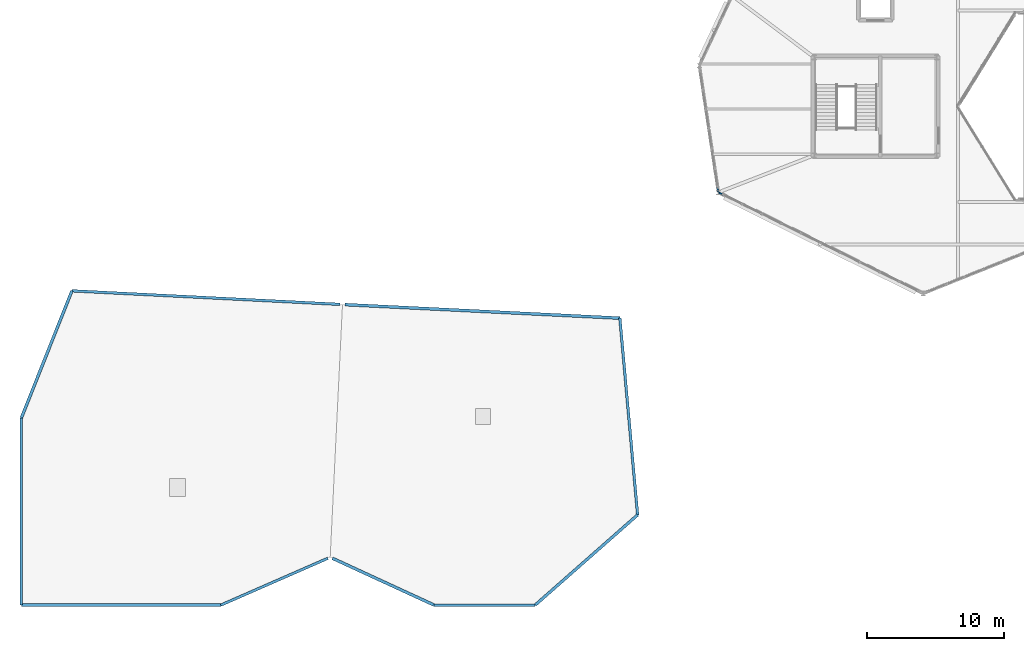
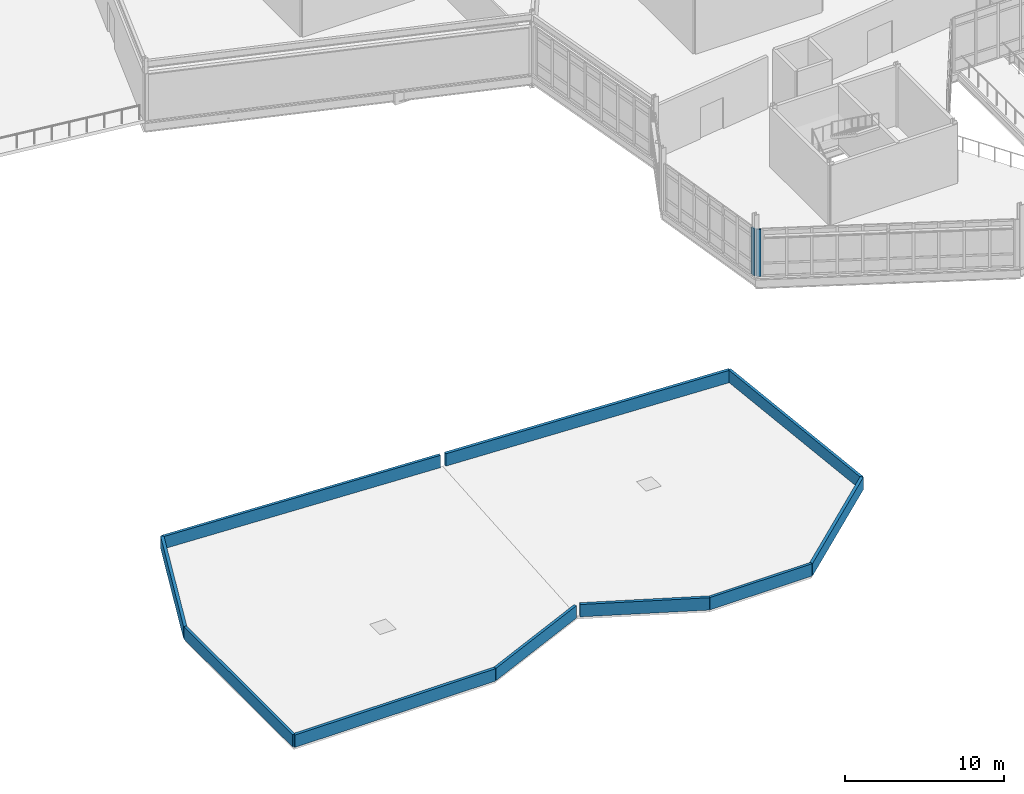
# One storey, part 57 of 76: 12 walls.
"""IFC4 building model written with IfcOpenShell, lengths in metres."""

import ifcopenshell
import ifcopenshell.guid

model = None  # the IFC model being written
_history = None  # IfcOwnerHistory: only IFC2X3 demands one
_inside = {}  # id of a spatial element -> (the spatial element, [elements in it])
_under = {}  # id of a project, library or spatial element -> (it, [spatial elements below it])
_declared = {}  # id of a project -> (the project, [libraries it declares])
_typed = {}  # id of a type object -> (the type object, [elements of that type])
_made_of = {}  # id of a material, layer set ... -> (it, [elements and type objects made of it])


def new_model(schema):
    """Start an empty IFC model of exactly this schema.

    Asked for "IFC4X3", IfcOpenShell would pick the latest addendum, in which some entities
    have other attributes; the version numbers below select the first issue.
    IFC2X3 requires an IfcOwnerHistory on every rooted entity: one is made here for all.
    """
    global model, _history
    if schema == "IFC4X3":
        model = ifcopenshell.file(schema_version=(4, 3, 0, 0))
    else:
        model = ifcopenshell.file(schema=schema)
    _inside.clear()
    _under.clear()
    _declared.clear()
    _typed.clear()
    _made_of.clear()
    _history = None
    if model.schema == "IFC2X3":
        org = make("IfcOrganization", Name="unknown")
        user = make(
            "IfcPersonAndOrganization",
            ThePerson=make("IfcPerson", FamilyName="unknown"),
            TheOrganization=org,
        )
        app = make(
            "IfcApplication",
            ApplicationDeveloper=org,
            Version="unknown",
            ApplicationFullName="unknown",
            ApplicationIdentifier="unknown",
        )
        _history = make(
            "IfcOwnerHistory",
            OwningUser=user,
            OwningApplication=app,
            ChangeAction="ADDED",
            CreationDate=0,
        )
    return model


def make(cls, **values):
    """One entity of the class cls with the attributes given. An attribute that is None is left unset."""
    return model.create_entity(
        cls, **{name: value for name, value in values.items() if value is not None}
    )


def rooted(cls, **values):
    """An entity with a GlobalId (a new one), such as an element, a storey or a relation."""
    return make(cls, GlobalId=ifcopenshell.guid.new(), OwnerHistory=_history, **values)


def si_unit(unit_type, name, prefix=None):
    """IfcSIUnit, for example si_unit("LENGTHUNIT", "METRE", prefix="MILLI")."""
    return make("IfcSIUnit", UnitType=unit_type, Prefix=prefix, Name=name)


def assignment(units):
    """IfcUnitAssignment: the units of a project."""
    return None if units is None else make("IfcUnitAssignment", Units=units)


def point(xyz):
    """IfcCartesianPoint."""
    return None if xyz is None else make("IfcCartesianPoint", Coordinates=xyz)


def direction(xyz):
    """IfcDirection."""
    return None if xyz is None else make("IfcDirection", DirectionRatios=xyz)


def frame(location, z_axis=None, x_axis=None):
    """IfcAxis2Placement3D, a coordinate frame: its origin and axes. An axis left out is left unset."""
    return make(
        "IfcAxis2Placement3D",
        Location=point(location),
        Axis=direction(z_axis),
        RefDirection=direction(x_axis),
    )


def frame_2d(location, x_axis=None):
    """IfcAxis2Placement2D, a coordinate frame in the plane: its origin and x axis."""
    return make(
        "IfcAxis2Placement2D", Location=point(location), RefDirection=direction(x_axis)
    )


def origin():
    """The frame at (0, 0, 0) with its axes left unset."""
    return frame((0.0, 0.0, 0.0))


def origin_with_axes():
    """The frame at (0, 0, 0) with the z axis (0, 0, 1) and the x axis (1, 0, 0) written out."""
    return frame((0.0, 0.0, 0.0), z_axis=(0.0, 0.0, 1.0), x_axis=(1.0, 0.0, 0.0))


def place(relative_to, where):
    """IfcLocalPlacement: puts the frame where relative to a parent placement (None: the world)."""
    return make(
        "IfcLocalPlacement", PlacementRelTo=relative_to, RelativePlacement=where
    )


def context(
    kind, dimensions, precision=None, world=None, true_north=None, identifier=None
):
    """IfcGeometricRepresentationContext, for example the 3D "Model" context."""
    return make(
        "IfcGeometricRepresentationContext",
        ContextIdentifier=identifier,
        ContextType=kind,
        CoordinateSpaceDimension=dimensions,
        Precision=precision,
        WorldCoordinateSystem=world,
        TrueNorth=true_north,
    )


def subcontext(parent, identifier, kind, view, scale=None):
    """IfcGeometricRepresentationSubContext, for example "Body" below "Model"."""
    return make(
        "IfcGeometricRepresentationSubContext",
        ContextIdentifier=identifier,
        ContextType=kind,
        ParentContext=parent,
        TargetScale=scale,
        TargetView=view,
    )


def project(units=None, contexts=None):
    """IfcProject with its units and contexts."""
    return rooted(
        "IfcProject",
        Name="project",
        RepresentationContexts=contexts,
        UnitsInContext=assignment(units),
    )


def spatial(cls, under=None, at=None, **own):
    """A site, building, storey or space (cls), placed at a placement, below another one or the project."""
    s = rooted(cls, ObjectPlacement=at, **own)
    if under is not None:
        _under.setdefault(under.id(), (under, []))[1].append(s)
    return s


def profile(cls, at=None, kind="AREA", **sizes):
    """A parametric profile (cls). Its sizes go by their IFC names, for example OverallWidth=200.0."""
    return make(cls, ProfileType=kind, Position=at, **sizes)


def rectangle(**sizes):
    """IfcRectangleProfileDef."""
    return profile("IfcRectangleProfileDef", **sizes)


def extrude(swept, where, along, depth):
    """IfcExtrudedAreaSolid: the profile swept, set in the frame where, extruded along a direction by depth."""
    return make(
        "IfcExtrudedAreaSolid",
        SweptArea=swept,
        Position=where,
        ExtrudedDirection=direction(along),
        Depth=depth,
    )


def shape(context_of_items, identifier, shape_type, items):
    """IfcShapeRepresentation: the items that make up one representation, for example the "Body"."""
    return make(
        "IfcShapeRepresentation",
        ContextOfItems=context_of_items,
        RepresentationIdentifier=identifier,
        RepresentationType=shape_type,
        Items=items,
    )


def material(Name=None, Category=None):
    """IfcMaterial."""
    return make("IfcMaterial", Name=Name, Category=Category)


def layer(
    of_material, thickness, ventilated=None, Name=None, Category=None, Priority=None
):
    """IfcMaterialLayer: one layer of a wall or slab, of a material (None: an air gap)."""
    return make(
        "IfcMaterialLayer",
        Material=of_material,
        LayerThickness=thickness,
        IsVentilated=ventilated,
        Name=Name,
        Category=Category,
        Priority=Priority,
    )


def layer_set(layers, Name=None):
    """IfcMaterialLayerSet."""
    return make("IfcMaterialLayerSet", MaterialLayers=layers, LayerSetName=Name)


def made_of(thing, what):
    """Note that an element or type object is made of a material, layer set ...; save() writes the relation."""
    if what is not None:
        _made_of.setdefault(what.id(), (what, []))[1].append(thing)
    return thing


def type_object(cls, material=None, **own):
    """A type object (cls), such as IfcWallType, which elements share."""
    return made_of(rooted(cls, **own), material)


def element(
    cls,
    number,
    at=None,
    inside=None,
    cuts=None,
    type_object=None,
    material=None,
    context=None,
    identifier="Body",
    shape_type=None,
    held_by="IfcProductDefinitionShape",
    body=None,
    shapes=None,
    **own,
):
    """One element of the class cls, such as IfcWall. Its Tag is "e" and its number.

    at: its placement. inside: the storey or other place that contains it. cuts: it is an
    opening in that element (IfcRelVoidsElement). A single representation is given by context,
    identifier, shape_type and body (its items); several are given by shapes. held_by: the class
    of the entity that holds the representations. save() writes the other relations.
    """
    e = rooted(cls, Tag="e%d" % number, ObjectPlacement=at, **own)
    if body is not None:
        shapes = [shape(context, identifier, shape_type, body)]
    if shapes is not None:
        e.Representation = make(held_by, Representations=shapes)
    if inside is not None:
        _inside.setdefault(inside.id(), (inside, []))[1].append(e)
    if cuts is not None:
        rooted(
            "IfcRelVoidsElement", RelatingBuildingElement=cuts, RelatedOpeningElement=e
        )
    if type_object is not None:
        _typed.setdefault(type_object.id(), (type_object, []))[1].append(e)
    return made_of(e, material)


def aggregate(whole, parts):
    """IfcRelAggregates: a whole, such as a stair, and the parts it consists of."""
    return rooted("IfcRelAggregates", RelatingObject=whole, RelatedObjects=parts)


def save(model, path):
    """Write the relations noted so far, then the file.

    IfcRelAggregates (storeys below a building ...), IfcRelContainedInSpatialStructure (elements
    in a storey), IfcRelDefinesByType, IfcRelAssociatesMaterial and IfcRelDeclares: one each for
    every whole, place, type object, material and project.
    """
    for whole, parts in _under.values():
        aggregate(whole, parts)
    for where, things in _inside.values():
        rooted(
            "IfcRelContainedInSpatialStructure",
            RelatedElements=things,
            RelatingStructure=where,
        )
    for kind, things in _typed.values():
        rooted("IfcRelDefinesByType", RelatedObjects=things, RelatingType=kind)
    for what, things in _made_of.values():
        rooted("IfcRelAssociatesMaterial", RelatedObjects=things, RelatingMaterial=what)
    for by, libraries in _declared.values():
        rooted("IfcRelDeclares", RelatingContext=by, RelatedDefinitions=libraries)
    model.write(path)


model = new_model("IFC4")

# Units and contexts
model_context = context("Model", 3, precision=1e-05, world=origin(), true_north=direction((0.0, 1.0)))
body_context = subcontext(model_context, "Body", "Model", "MODEL_VIEW")
ifc_project = project(units=[si_unit("LENGTHUNIT", "METRE"), si_unit("AREAUNIT", "SQUARE_METRE"), si_unit("VOLUMEUNIT", "CUBIC_METRE"), si_unit("PLANEANGLEUNIT", "RADIAN"), si_unit("MASSUNIT", "GRAM", prefix="KILO")], contexts=[model_context])

# Site, building, storey
site_placement = place(None, origin())
site = spatial("IfcSite", under=ifc_project, at=site_placement, CompositionType="ELEMENT")
building_placement = place(site_placement, origin())
building = spatial("IfcBuilding", under=site, at=building_placement, Name="Tameran Prism Museum", CompositionType="ELEMENT")
storey_placement = place(building_placement, frame((0.0, 0.0, 15.0)))
storey = spatial("IfcBuildingStorey", under=building, at=storey_placement, Name="L03", CompositionType="ELEMENT", Elevation=15.0)

# Walls
ifc_material_1 = material(Name="Precast Concrete N40 (40 MPa)", Category="concrete")
ifc_layer_1 = layer(ifc_material_1, 0.094970703125)
ifc_layer_set_1 = layer_set([ifc_layer_1])
wall_type_1 = type_object("IfcWallType", Name="EW-CLOS-095", PredefinedType="SOLIDWALL", material=ifc_layer_set_1)
wall_1_placement = place(storey_placement, frame((50.993896484375, 30.241943359375, 0.0), z_axis=(0.0, 0.0, 1.0), x_axis=(-0.14931129712, 0.988790238904, 0.0)))
element("IfcWall", 1, at=wall_1_placement, inside=storey, type_object=wall_type_1, Name="Facade Corner Closure EW-0375", PredefinedType="SOLIDWALL", context=body_context, shape_type="SweptSolid", body=[
    extrude(rectangle(XDim=0.307373046875, YDim=0.094970703125, at=frame_2d((0.15380859375, 0.0))), origin(), (0.0, 0.0, 1.0), 3.6201171875),
])
wall_2_placement = place(storey_placement, frame((51.31396484375, 30.044921875, 0.0), z_axis=(0.0, 0.0, 1.0), x_axis=(-0.896952807524, 0.44212629539, 0.0)))
element("IfcWall", 2, at=wall_2_placement, inside=storey, type_object=wall_type_1, Name="Facade Corner Closure EW-0378", PredefinedType="SOLIDWALL", context=body_context, shape_type="SweptSolid", body=[
    extrude(rectangle(XDim=0.3076171875, YDim=0.094970703125, at=frame_2d((0.15380859375, 0.0))), origin(), (0.0, 0.0, 1.0), 3.6201171875),
])
ifc_material_2 = material(Name="Precast Concrete N40 (40 MPa)", Category="concrete")
ifc_layer_2 = layer(ifc_material_2, 0.195068359375)
ifc_layer_set_2 = layer_set([ifc_layer_2])
wall_type_2 = type_object("IfcWallType", Name="EW-PAR-195", PredefinedType="PARAPET", material=ifc_layer_set_2)
wall_3_placement = place(storey_placement, frame((23.320068359375, 22.009033203125, 0.0), z_axis=(0.0, 0.0, 1.0), x_axis=(-0.99872692185, 0.050443389774, 0.0)))
element("IfcWall", 3, at=wall_3_placement, inside=storey, type_object=wall_type_2, Name="Roof Parapet EP-005", PredefinedType="PARAPET", context=body_context, shape_type="SweptSolid", body=[
    extrude(rectangle(XDim=19.64501953125, YDim=0.195068359375, at=frame_2d((9.822509765625, 0.0))), origin(), (0.0, 0.0, 1.0), 0.949951171875),
])
wall_4_placement = place(storey_placement, frame((0.0, 13.699951171875, 0.0), z_axis=(0.0, 0.0, 1.0), x_axis=(0.0, -1.0, 0.0)))
element("IfcWall", 4, at=wall_4_placement, inside=storey, type_object=wall_type_2, Name="Roof Parapet EP-007", PredefinedType="PARAPET", context=body_context, shape_type="SweptSolid", body=[
    extrude(rectangle(XDim=13.699951171875, YDim=0.195068359375, at=frame_2d((6.85009765625, 0.0))), origin(), (0.0, 0.0, 1.0), 0.949951171875),
])
wall_5_placement = place(storey_placement, frame((14.60009765625, 0.0, 0.0), z_axis=(0.0, 0.0, 1.0), x_axis=(0.916149472437, 0.400836804889, 0.0)))
element("IfcWall", 5, at=wall_5_placement, inside=storey, type_object=wall_type_2, Name="Roof Parapet EP-009", PredefinedType="PARAPET", context=body_context, shape_type="SweptSolid", body=[
    extrude(rectangle(XDim=8.552001953125, YDim=0.195068359375, at=frame_2d((4.27587890625, 0.0))), origin(), (0.0, 0.0, 1.0), 0.949951171875),
])
wall_6_placement = place(storey_placement, frame((30.199951171875, 0.0, 0.0), z_axis=(0.0, 0.0, 1.0), x_axis=(1.0, 0.0, 0.0)))
element("IfcWall", 6, at=wall_6_placement, inside=storey, type_object=wall_type_2, Name="Roof Parapet EP-011", PredefinedType="PARAPET", context=body_context, shape_type="SweptSolid", body=[
    extrude(rectangle(XDim=7.400146484375, YDim=0.195068359375, at=frame_2d((3.7001953125, 0.0))), origin(), (0.0, 0.0, 1.0), 0.949951171875),
])
wall_7_placement = place(storey_placement, frame((45.10009765625, 6.60009765625, 0.0), z_axis=(0.0, 0.0, 1.0), x_axis=(-0.089916080565, 0.995949345326, 0.0)))
element("IfcWall", 7, at=wall_7_placement, inside=storey, type_object=wall_type_2, Name="Roof Parapet EP-013", PredefinedType="PARAPET", context=body_context, shape_type="SweptSolid", body=[
    extrude(rectangle(XDim=14.45849609375, YDim=0.195068359375, at=frame_2d((7.229248046875, 0.0))), origin(), (0.0, 0.0, 1.0), 0.949951171875),
])
ifc_material_3 = material(Name="Precast Concrete N40 (40 MPa)", Category="concrete")
ifc_layer_3 = layer(ifc_material_3, 0.215087890625)
ifc_layer_set_3 = layer_set([ifc_layer_3])
wall_type_3 = type_object("IfcWallType", Name="EW-PAR-215", PredefinedType="PARAPET", material=ifc_layer_set_3)
wall_8_placement = place(storey_placement, frame((3.699951171875, 23.0, 0.0), z_axis=(0.0, 0.0, 1.0), x_axis=(-0.369661561468, -0.929166470538, 0.0)))
element("IfcWall", 8, at=wall_8_placement, inside=storey, type_object=wall_type_3, Name="Roof Parapet EP-006", PredefinedType="PARAPET", context=body_context, shape_type="SweptSolid", body=[
    extrude(rectangle(XDim=10.009033203125, YDim=0.215087890625, at=frame_2d((5.00439453125, 0.0))), origin(), (0.0, 0.0, 1.0), 0.949951171875),
])
wall_9_placement = place(storey_placement, origin_with_axes())
element("IfcWall", 9, at=wall_9_placement, inside=storey, type_object=wall_type_3, Name="Roof Parapet EP-008", PredefinedType="PARAPET", context=body_context, shape_type="SweptSolid", body=[
    extrude(rectangle(XDim=14.60009765625, YDim=0.215087890625, at=frame_2d((7.300048828125, 0.0))), origin(), (0.0, 0.0, 1.0), 0.949951171875),
])
wall_10_placement = place(storey_placement, frame((22.762939453125, 3.425048828125, 0.0), z_axis=(0.0, 0.0, 1.0), x_axis=(0.908303797871, -0.418311141105, 0.0)))
element("IfcWall", 10, at=wall_10_placement, inside=storey, type_object=wall_type_3, Name="Roof Parapet EP-010", PredefinedType="PARAPET", context=body_context, shape_type="SweptSolid", body=[
    extrude(rectangle(XDim=8.187744140625, YDim=0.215087890625, at=frame_2d((4.09375, 0.0))), origin(), (0.0, 0.0, 1.0), 0.949951171875),
])
wall_11_placement = place(storey_placement, frame((37.60009765625, 0.0, 0.0), z_axis=(0.0, 0.0, 1.0), x_axis=(0.75070866914, 0.660633403696, 0.0)))
element("IfcWall", 11, at=wall_11_placement, inside=storey, type_object=wall_type_3, Name="Roof Parapet EP-012", PredefinedType="PARAPET", context=body_context, shape_type="SweptSolid", body=[
    extrude(rectangle(XDim=9.990478515625, YDim=0.215087890625, at=frame_2d((4.9951171875, 0.0))), origin(), (0.0, 0.0, 1.0), 0.949951171875),
])
wall_12_placement = place(storey_placement, frame((43.800048828125, 21.0, 0.0), z_axis=(0.0, 0.0, 1.0), x_axis=(-0.998789296107, 0.049192905801, 0.0)))
element("IfcWall", 12, at=wall_12_placement, inside=storey, type_object=wall_type_3, Name="Roof Parapet EP-014", PredefinedType="PARAPET", context=body_context, shape_type="SweptSolid", body=[
    extrude(rectangle(XDim=20.14453125, YDim=0.215087890625, at=frame_2d((10.072265625, 0.0))), origin(), (0.0, 0.0, 1.0), 0.949951171875),
])

save(model, "model.ifc")
